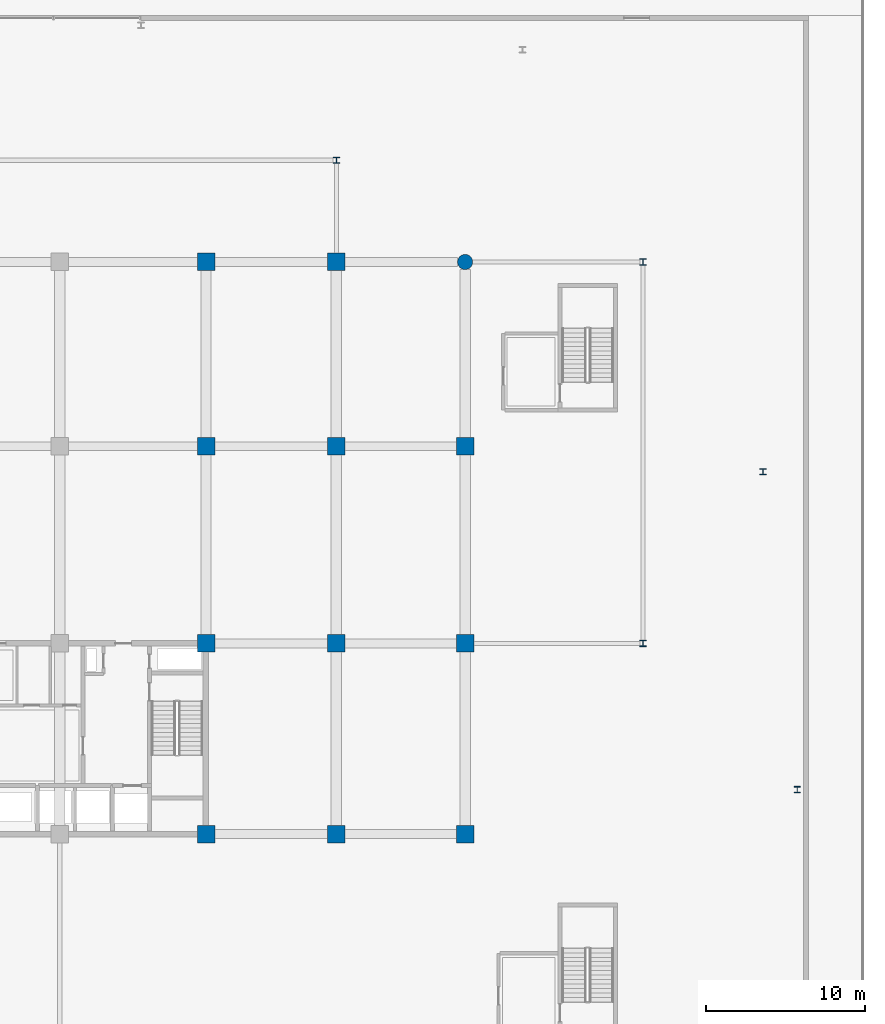
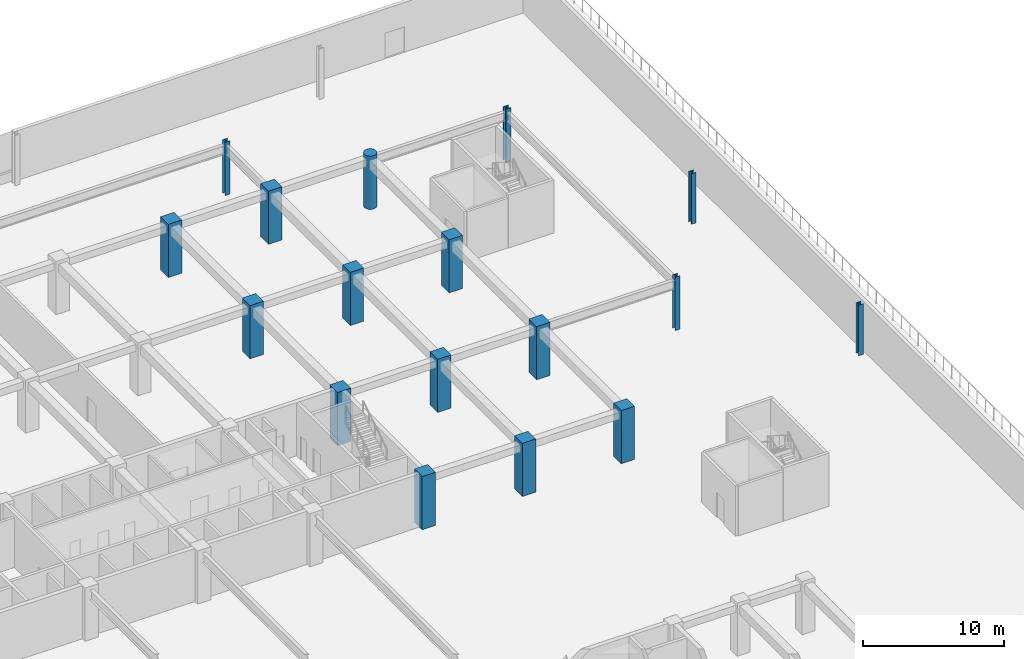
# One storey, part 4 of 45: 17 columns.
"""IFC4 building model written with IfcOpenShell, lengths in metres."""

from ifc_helpers import new_model, si_unit, direction, frame, origin, origin_2d, place, context, subcontext, project, spatial, rectangle, circle, i_section, extrude, material, material_profile, profile_set, type_object, element, save


model = new_model("IFC4")

# Units and contexts
model_context = context("Model", 3, precision=1e-05, world=origin(), true_north=direction((0.0, 1.0)))
body_context = subcontext(model_context, "Body", "Model", "MODEL_VIEW")
ifc_project = project(units=[si_unit("LENGTHUNIT", "METRE"), si_unit("AREAUNIT", "SQUARE_METRE"), si_unit("VOLUMEUNIT", "CUBIC_METRE"), si_unit("PLANEANGLEUNIT", "RADIAN"), si_unit("MASSUNIT", "GRAM", prefix="KILO")], contexts=[model_context])

# Site, building, storey
site_placement = place(None, origin())
site = spatial("IfcSite", under=ifc_project, at=site_placement, CompositionType="ELEMENT")
building_placement = place(site_placement, origin())
building = spatial("IfcBuilding", under=site, at=building_placement, Name="Korimba Cascade Residences", CompositionType="ELEMENT")
storey_placement = place(building_placement, frame((0.0, 0.0, 5.39990234375)))
storey = spatial("IfcBuildingStorey", under=building, at=storey_placement, Name="L01", CompositionType="ELEMENT", Elevation=5.39990234375)

# Columns
ifc_material_1 = material(Name="Concrete C80/95", Category="concrete")
ifc_material_profile_1 = material_profile(ifc_material_1, rectangle(XDim=1.10009765625, YDim=1.10009765625, at=origin_2d()), Name="Concrete C80/95")
ifc_profile_set_1 = profile_set([ifc_material_profile_1], Name="Concrete C80/95")
column_type_1 = type_object("IfcColumnType", Name="COL-RC-1100", PredefinedType="COLUMN", material=ifc_profile_set_1)
for number, where, z_axis, x_axis, name in (
    (1, (112.10009765625, 55.199951171875, 0.0), (0.0, 0.0, 1.0), (1.0, 0.0, 0.0), "L01 Tower 1 Column 7.1"),
    (2, (112.10009765625, 67.199951171875, 0.0), (0.0, 0.0, 1.0), (1.0, 0.0, 0.0), "L01 Tower 1 Column 7.2"),
    (3, (112.10009765625, 79.60009765625, 0.0), (0.0, 0.0, 1.0), (1.0, 0.0, 0.0), "L01 Tower 1 Column 7.3"),
    (4, (112.10009765625, 91.199951171875, 0.0), (0.0, 0.0, 1.0), (1.0, 0.0, 0.0), "L01 Tower 1 Column 7.4"),
    (5, (120.300048828125, 55.199951171875, 0.0), (0.0, 0.0, 1.0), (1.0, 0.0, 0.0), "L01 Tower 1 Column 8.1"),
    (6, (120.300048828125, 67.199951171875, 0.0), (0.0, 0.0, 1.0), (1.0, 0.0, 0.0), "L01 Tower 1 Column 8.2"),
    (7, (120.300048828125, 79.60009765625, 0.0), (0.0, 0.0, 1.0), (1.0, 0.0, 0.0), "L01 Tower 1 Column 8.3"),
    (8, (120.300048828125, 91.199951171875, 0.0), (0.0, 0.0, 1.0), (1.0, 0.0, 0.0), "L01 Tower 1 Column 8.4"),
    (9, (128.39990234375, 55.199951171875, 0.0), (0.0, 0.0, 1.0), (1.0, 0.0, 0.0), "L01 Tower 1 Column 9.1"),
    (10, (128.39990234375, 67.199951171875, 0.0), (0.0, 0.0, 1.0), (1.0, 0.0, 0.0), "L01 Tower 1 Column 9.2"),
    (11, (128.39990234375, 79.60009765625, 0.0), (0.0, 0.0, 1.0), (1.0, 0.0, 0.0), "L01 Tower 1 Column 9.3"),
):
    element("IfcColumn", number, at=place(storey_placement, frame(where, z_axis=z_axis, x_axis=x_axis)), inside=storey, type_object=column_type_1, Name=name, PredefinedType="COLUMN", context=body_context, shape_type="SweptSolid", body=[
        extrude(rectangle(XDim=1.10009765625, YDim=1.10009765625, at=origin_2d()), origin(), (0.0, 0.0, 1.0), 4.60009765625),
    ])
ifc_material_profile_2 = material_profile(ifc_material_1, circle(Radius=0.47509765625, at=origin_2d()), Name="Concrete C80/95")
ifc_profile_set_2 = profile_set([ifc_material_profile_2], Name="Concrete C80/95")
column_type_2 = type_object("IfcColumnType", Name="COL-RC-D950", PredefinedType="COLUMN", material=ifc_profile_set_2)
column_placement = place(storey_placement, frame((128.39990234375, 91.199951171875, 0.0), z_axis=(0.0, 0.0, 1.0), x_axis=(1.0, 0.0, 0.0)))
element("IfcColumn", 12, at=column_placement, inside=storey, type_object=column_type_2, Name="L01 Tower 1 Column 9.4", PredefinedType="COLUMN", context=body_context, shape_type="SweptSolid", body=[
    extrude(circle(Radius=0.47509765625, at=origin_2d()), origin(), (0.0, 0.0, 1.0), 4.60009765625),
])
ifc_material_2 = material(Name="Steel S355", Category="steel")
ifc_material_profile_3 = material_profile(ifc_material_2, i_section(OverallWidth=0.39892578125, OverallDepth=0.3935546875, WebThickness=0.022705078125, FlangeThickness=0.03662109375, FilletRadius=0.01513671875, at=origin_2d()), Name="Steel S355")
ifc_profile_set_3 = profile_set([ifc_material_profile_3], Name="Steel S355")
column_type_3 = type_object("IfcColumnType", Name="COL-STL-UC287", PredefinedType="COLUMN", material=ifc_profile_set_3)
for number, where, z_axis, x_axis, name in (
    (13, (139.60009765625, 67.199951171875, 0.0), (0.0, 0.0, 1.0), (1.0, 0.0, 0.0), "L01 Podium Column PCE3"),
    (14, (139.60009765625, 91.199951171875, 0.0), (0.0, 0.0, 1.0), (1.0, 0.0, 0.0), "L01 Podium Column PCE4"),
    (15, (120.300048828125, 97.60009765625, 0.0), (0.0, 0.0, 1.0), (1.0, 0.0, 0.0), "L01 Podium Column PCN3"),
):
    element("IfcColumn", number, at=place(storey_placement, frame(where, z_axis=z_axis, x_axis=x_axis)), inside=storey, type_object=column_type_3, Name=name, PredefinedType="COLUMN", context=body_context, shape_type="SweptSolid", body=[
        extrude(i_section(OverallWidth=0.39892578125, OverallDepth=0.3935546875, WebThickness=0.022705078125, FlangeThickness=0.03662109375, FilletRadius=0.01513671875, at=origin_2d()), origin(), (0.0, 0.0, 1.0), 4.60009765625),
    ])
for number, where, z_axis, x_axis, name in (
    (16, (149.300048828125, 58.0, 0.0), (0.0, 0.0, 1.0), (1.0, 0.0, 0.0), "L01 Podium Column PTE2"),
    (17, (147.14990234375, 78.0, 0.0), (0.0, 0.0, 1.0), (1.0, 0.0, 0.0), "L01 Podium Column PTE4"),
):
    element("IfcColumn", number, at=place(storey_placement, frame(where, z_axis=z_axis, x_axis=x_axis)), inside=storey, type_object=column_type_3, Name=name, PredefinedType="COLUMN", context=body_context, shape_type="SweptSolid", body=[
        extrude(i_section(OverallWidth=0.39892578125, OverallDepth=0.3935546875, WebThickness=0.022705078125, FlangeThickness=0.03662109375, FilletRadius=0.01513671875, at=origin_2d()), origin(), (0.0, 0.0, 1.0), 4.360107421875),
    ])

save(model, "model.ifc")
